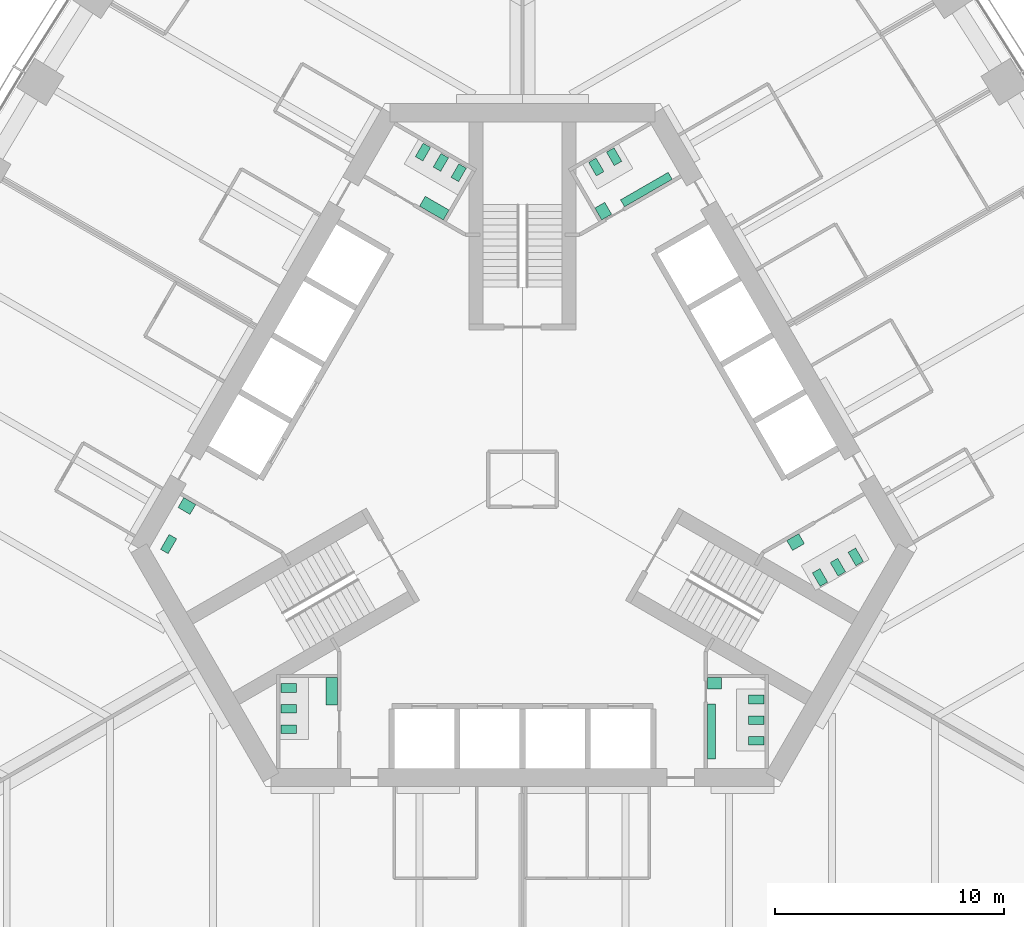
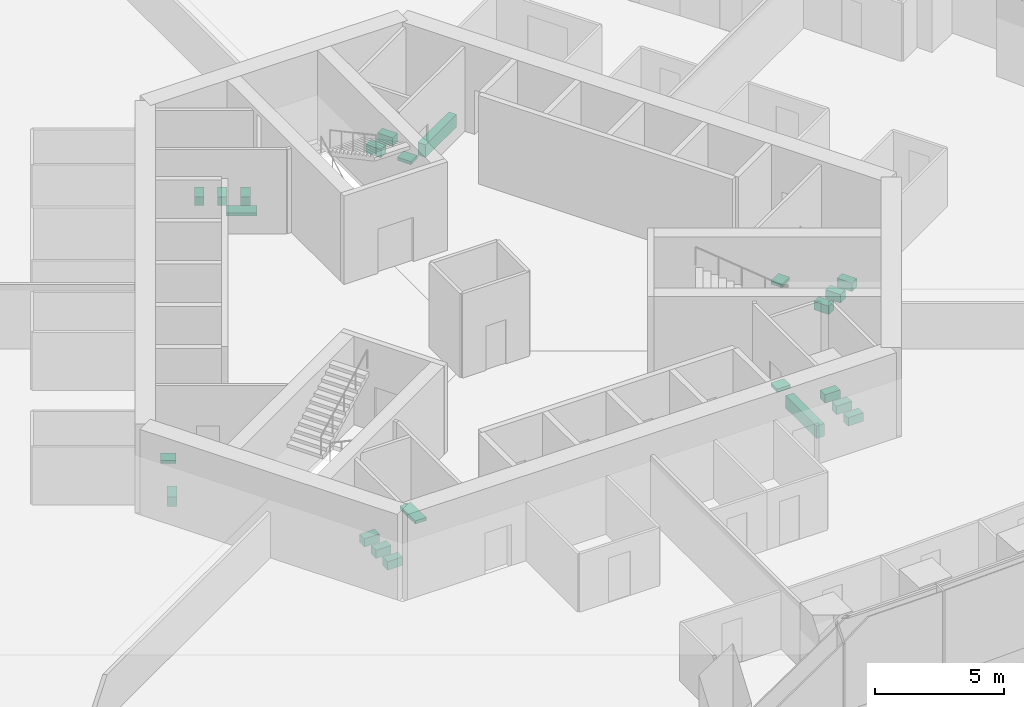
# One storey, part 17 of 18: 23 sanitary terminals.
"""IFC4 building model written with IfcOpenShell, lengths in metres."""

from ifc_helpers import new_model, si_unit, direction, frame, origin, place, context, subcontext, project, spatial, polyline, outline, extrude, material, type_object, element, save


model = new_model("IFC4")

# Units and contexts
model_context = context("Model", 3, precision=1e-05, world=origin(), true_north=direction((0.0, 1.0)))
body_context = subcontext(model_context, "Body", "Model", "MODEL_VIEW")
ifc_project = project(units=[si_unit("LENGTHUNIT", "METRE"), si_unit("AREAUNIT", "SQUARE_METRE"), si_unit("VOLUMEUNIT", "CUBIC_METRE"), si_unit("PLANEANGLEUNIT", "RADIAN"), si_unit("MASSUNIT", "GRAM", prefix="KILO")], contexts=[model_context])

# Site, building, storey
site_placement = place(None, origin())
site = spatial("IfcSite", under=ifc_project, at=site_placement, CompositionType="ELEMENT")
building_placement = place(site_placement, origin())
building = spatial("IfcBuilding", under=site, at=building_placement, Name="Trefoil Bronze Tower", CompositionType="ELEMENT")
storey_placement = place(building_placement, frame((0.0, 0.0, 37.5)))
storey = spatial("IfcBuildingStorey", under=building, at=storey_placement, Name="L08", CompositionType="ELEMENT", Elevation=37.5)

# Sanitary terminals
ifc_material_1 = material(Name="Vitreous china", Category="ceramic")
sanitary_terminal_type_1 = type_object("IfcSanitaryTerminalType", Name="Accessible WC pan", PredefinedType="TOILETPAN", material=ifc_material_1)
sanitary_terminal_1_placement = place(storey_placement, origin())
element("IfcSanitaryTerminal", 1, at=sanitary_terminal_1_placement, inside=storey, type_object=sanitary_terminal_type_1, Name="WC pan 1 Accessible WC L08", PredefinedType="TOILETPAN", context=body_context, shape_type="SweptSolid", body=[
    extrude(outline(polyline([(-15.085693359375, -2.589111328125), (-15.460693359375, -3.238525390625), (-15.789794921875, -3.048583984375), (-15.414794921875, -2.399169921875), (-15.085693359375, -2.589111328125)])), origin(), (0.0, 0.0, 1.0), 0.449951171875),
])
ifc_material_2 = material(Name="Vitreous china", Category="ceramic")
sanitary_terminal_type_2 = type_object("IfcSanitaryTerminalType", Name="Accessible basin", PredefinedType="WASHHANDBASIN", material=ifc_material_2)
sanitary_terminal_2_placement = place(storey_placement, frame((0.0, 0.0, 0.64990234375)))
element("IfcSanitaryTerminal", 2, at=sanitary_terminal_2_placement, inside=storey, type_object=sanitary_terminal_type_2, Name="Wash basin Accessible WC L08", PredefinedType="WASHHANDBASIN", context=body_context, shape_type="SweptSolid", body=[
    extrude(outline(polyline([(-14.256591796875, -1.09326171875), (-14.506591796875, -1.526123046875), (-15.026123046875, -1.22607421875), (-14.776123046875, -0.793212890625), (-14.256591796875, -1.09326171875)])), origin(), (0.0, 0.0, 1.0), 0.150146484375),
])
ifc_material_3 = material(Name="Vitreous china", Category="ceramic")
sanitary_terminal_type_3 = type_object("IfcSanitaryTerminalType", Name="Urinal range 4 urinals", PredefinedType="URINAL", material=ifc_material_3)
sanitary_terminal_3_placement = place(storey_placement, frame((0.0, 0.0, 0.39990234375)))
element("IfcSanitaryTerminal", 3, at=sanitary_terminal_3_placement, inside=storey, type_object=sanitary_terminal_type_3, Name="Urinal range WC (men) L08", PredefinedType="URINAL", context=body_context, shape_type="SweptSolid", body=[
    extrude(outline(polyline([(8.074951171875, -9.800048828125), (8.425048828125, -9.800048828125), (8.425048828125, -12.199951171875), (8.074951171875, -12.199951171875), (8.074951171875, -9.800048828125)])), origin(), (0.0, 0.0, 1.0), 0.60009765625),
])
sanitary_terminal_4_placement = place(storey_placement, frame((0.0, 0.0, 0.39990234375)))
element("IfcSanitaryTerminal", 4, at=sanitary_terminal_4_placement, inside=storey, type_object=sanitary_terminal_type_3, Name="Urinal range WC (men) L08", PredefinedType="URINAL", context=body_context, shape_type="SweptSolid", body=[
    extrude(outline(polyline([(4.449462890625, 11.89306640625), (4.274658203125, 12.1962890625), (6.35302734375, 13.396240234375), (6.528076171875, 13.09326171875), (4.449462890625, 11.89306640625)])), origin(), (0.0, 0.0, 1.0), 0.60009765625),
])
ifc_material_4 = material(Name="Solid surface vanity", Category="plastic")
sanitary_terminal_type_4 = type_object("IfcSanitaryTerminalType", Name="Vanity unit 1 basins", PredefinedType="WASHHANDBASIN", material=ifc_material_4)
sanitary_terminal_5_placement = place(storey_placement, frame((0.0, 0.0, 0.75)))
element("IfcSanitaryTerminal", 5, at=sanitary_terminal_5_placement, inside=storey, type_object=sanitary_terminal_type_4, Name="Vanity unit WC (men) L08", PredefinedType="WASHHANDBASIN", context=body_context, shape_type="SweptSolid", body=[
    extrude(outline(polyline([(8.074951171875, -8.64990234375), (8.675048828125, -8.64990234375), (8.675048828125, -9.14990234375), (8.074951171875, -9.14990234375), (8.074951171875, -8.64990234375)])), origin(), (0.0, 0.0, 1.0), 0.14990234375),
])
sanitary_terminal_6_placement = place(storey_placement, frame((0.0, 0.0, 0.75)))
element("IfcSanitaryTerminal", 6, at=sanitary_terminal_6_placement, inside=storey, type_object=sanitary_terminal_type_4, Name="Vanity unit WC (women) L08", PredefinedType="WASHHANDBASIN", context=body_context, shape_type="SweptSolid", body=[
    extrude(outline(polyline([(11.528564453125, -2.668212890625), (11.778564453125, -3.10107421875), (12.29833984375, -2.80126953125), (12.04833984375, -2.3681640625), (11.528564453125, -2.668212890625)])), origin(), (0.0, 0.0, 1.0), 0.14990234375),
])
sanitary_terminal_7_placement = place(storey_placement, frame((0.0, 0.0, 0.75)))
element("IfcSanitaryTerminal", 7, at=sanitary_terminal_7_placement, inside=storey, type_object=sanitary_terminal_type_4, Name="Vanity unit WC (men) L08", PredefinedType="WASHHANDBASIN", context=body_context, shape_type="SweptSolid", body=[
    extrude(outline(polyline([(3.45361328125, 11.318115234375), (3.153564453125, 11.837890625), (3.586669921875, 12.087890625), (3.88671875, 11.568115234375), (3.45361328125, 11.318115234375)])), origin(), (0.0, 0.0, 1.0), 0.14990234375),
])
ifc_material_5 = material(Name="Solid surface vanity", Category="plastic")
sanitary_terminal_type_5 = type_object("IfcSanitaryTerminalType", Name="Vanity unit 2 basins", PredefinedType="WASHHANDBASIN", material=ifc_material_5)
sanitary_terminal_8_placement = place(storey_placement, frame((0.0, 0.0, 0.75)))
element("IfcSanitaryTerminal", 8, at=sanitary_terminal_8_placement, inside=storey, type_object=sanitary_terminal_type_5, Name="Vanity unit WC (women) L08", PredefinedType="WASHHANDBASIN", context=body_context, shape_type="SweptSolid", body=[
    extrude(outline(polyline([(-3.45361328125, 11.318115234375), (-3.20361328125, 11.751220703125), (-4.242919921875, 12.35107421875), (-4.492919921875, 11.918212890625), (-3.45361328125, 11.318115234375)])), origin(), (0.0, 0.0, 1.0), 0.14990234375),
])
sanitary_terminal_9_placement = place(storey_placement, frame((0.0, 0.0, 0.75)))
element("IfcSanitaryTerminal", 9, at=sanitary_terminal_9_placement, inside=storey, type_object=sanitary_terminal_type_5, Name="Vanity unit WC (women) L08", PredefinedType="WASHHANDBASIN", context=body_context, shape_type="SweptSolid", body=[
    extrude(outline(polyline([(-8.074951171875, -8.64990234375), (-8.574951171875, -8.64990234375), (-8.574951171875, -9.85009765625), (-8.074951171875, -9.85009765625), (-8.074951171875, -8.64990234375)])), origin(), (0.0, 0.0, 1.0), 0.14990234375),
])
ifc_material_6 = material(Name="Vitreous china", Category="ceramic")
sanitary_terminal_type_6 = type_object("IfcSanitaryTerminalType", Name="WC pan", PredefinedType="TOILETPAN", material=ifc_material_6)
sanitary_terminal_10_placement = place(storey_placement, origin())
element("IfcSanitaryTerminal", 10, at=sanitary_terminal_10_placement, inside=storey, type_object=sanitary_terminal_type_6, Name="WC pan 1 WC (men) L08", PredefinedType="TOILETPAN", context=body_context, shape_type="SweptSolid", body=[
    extrude(outline(polyline([(9.85498046875, -9.409912109375), (10.534912109375, -9.409912109375), (10.534912109375, -9.7900390625), (9.85498046875, -9.7900390625), (9.85498046875, -9.409912109375)])), origin(), (0.0, 0.0, 1.0), 0.39990234375),
])
sanitary_terminal_11_placement = place(storey_placement, origin())
element("IfcSanitaryTerminal", 11, at=sanitary_terminal_11_placement, inside=storey, type_object=sanitary_terminal_type_6, Name="WC pan 2 WC (men) L08", PredefinedType="TOILETPAN", context=body_context, shape_type="SweptSolid", body=[
    extrude(outline(polyline([(9.85498046875, -10.31005859375), (10.534912109375, -10.31005859375), (10.534912109375, -10.68994140625), (9.85498046875, -10.68994140625), (9.85498046875, -10.31005859375)])), origin(), (0.0, 0.0, 1.0), 0.39990234375),
])
sanitary_terminal_12_placement = place(storey_placement, origin())
element("IfcSanitaryTerminal", 12, at=sanitary_terminal_12_placement, inside=storey, type_object=sanitary_terminal_type_6, Name="WC pan 3 WC (men) L08", PredefinedType="TOILETPAN", context=body_context, shape_type="SweptSolid", body=[
    extrude(outline(polyline([(9.85498046875, -11.2099609375), (10.534912109375, -11.2099609375), (10.534912109375, -11.590087890625), (9.85498046875, -11.590087890625), (9.85498046875, -11.2099609375)])), origin(), (0.0, 0.0, 1.0), 0.39990234375),
])
sanitary_terminal_13_placement = place(storey_placement, origin())
element("IfcSanitaryTerminal", 13, at=sanitary_terminal_13_placement, inside=storey, type_object=sanitary_terminal_type_6, Name="WC pan 1 WC (women) L08", PredefinedType="TOILETPAN", context=body_context, shape_type="SweptSolid", body=[
    extrude(outline(polyline([(12.643798828125, -4.07958984375), (12.98388671875, -4.66845703125), (13.31298828125, -4.478515625), (12.972900390625, -3.8896484375), (12.643798828125, -4.07958984375)])), origin(), (0.0, 0.0, 1.0), 0.39990234375),
])
sanitary_terminal_14_placement = place(storey_placement, origin())
element("IfcSanitaryTerminal", 14, at=sanitary_terminal_14_placement, inside=storey, type_object=sanitary_terminal_type_6, Name="WC pan 2 WC (women) L08", PredefinedType="TOILETPAN", context=body_context, shape_type="SweptSolid", body=[
    extrude(outline(polyline([(13.423095703125, -3.629638671875), (13.76318359375, -4.218505859375), (14.09228515625, -4.028564453125), (13.752197265625, -3.439697265625), (13.423095703125, -3.629638671875)])), origin(), (0.0, 0.0, 1.0), 0.39990234375),
])
sanitary_terminal_15_placement = place(storey_placement, origin())
element("IfcSanitaryTerminal", 15, at=sanitary_terminal_15_placement, inside=storey, type_object=sanitary_terminal_type_6, Name="WC pan 3 WC (women) L08", PredefinedType="TOILETPAN", context=body_context, shape_type="SweptSolid", body=[
    extrude(outline(polyline([(14.20263671875, -3.1796875), (14.542724609375, -3.7685546875), (14.871826171875, -3.57861328125), (14.53173828125, -2.98974609375), (14.20263671875, -3.1796875)])), origin(), (0.0, 0.0, 1.0), 0.39990234375),
])
sanitary_terminal_16_placement = place(storey_placement, origin())
element("IfcSanitaryTerminal", 16, at=sanitary_terminal_16_placement, inside=storey, type_object=sanitary_terminal_type_6, Name="WC pan 1 WC (men) L08", PredefinedType="TOILETPAN", context=body_context, shape_type="SweptSolid", body=[
    extrude(outline(polyline([(3.2216796875, 13.23974609375), (2.8818359375, 13.82861328125), (3.2109375, 14.0185546875), (3.55078125, 13.4296875), (3.2216796875, 13.23974609375)])), origin(), (0.0, 0.0, 1.0), 0.39990234375),
])
sanitary_terminal_17_placement = place(storey_placement, origin())
element("IfcSanitaryTerminal", 17, at=sanitary_terminal_17_placement, inside=storey, type_object=sanitary_terminal_type_6, Name="WC pan 2 WC (men) L08", PredefinedType="TOILETPAN", context=body_context, shape_type="SweptSolid", body=[
    extrude(outline(polyline([(4.001220703125, 13.689697265625), (3.6611328125, 14.278564453125), (3.990234375, 14.468505859375), (4.330322265625, 13.879638671875), (4.001220703125, 13.689697265625)])), origin(), (0.0, 0.0, 1.0), 0.39990234375),
])
sanitary_terminal_18_placement = place(storey_placement, origin())
element("IfcSanitaryTerminal", 18, at=sanitary_terminal_18_placement, inside=storey, type_object=sanitary_terminal_type_6, Name="WC pan 1 WC (women) L08", PredefinedType="TOILETPAN", context=body_context, shape_type="SweptSolid", body=[
    extrude(outline(polyline([(-2.788818359375, 12.98974609375), (-2.44873046875, 13.57861328125), (-2.77783203125, 13.7685546875), (-3.117919921875, 13.1796875), (-2.788818359375, 12.98974609375)])), origin(), (0.0, 0.0, 1.0), 0.39990234375),
])
sanitary_terminal_19_placement = place(storey_placement, origin())
element("IfcSanitaryTerminal", 19, at=sanitary_terminal_19_placement, inside=storey, type_object=sanitary_terminal_type_6, Name="WC pan 2 WC (women) L08", PredefinedType="TOILETPAN", context=body_context, shape_type="SweptSolid", body=[
    extrude(outline(polyline([(-3.568115234375, 13.439697265625), (-3.228271484375, 14.028564453125), (-3.557373046875, 14.218505859375), (-3.897216796875, 13.629638671875), (-3.568115234375, 13.439697265625)])), origin(), (0.0, 0.0, 1.0), 0.39990234375),
])
sanitary_terminal_20_placement = place(storey_placement, origin())
element("IfcSanitaryTerminal", 20, at=sanitary_terminal_20_placement, inside=storey, type_object=sanitary_terminal_type_6, Name="WC pan 3 WC (women) L08", PredefinedType="TOILETPAN", context=body_context, shape_type="SweptSolid", body=[
    extrude(outline(polyline([(-4.34765625, 13.8896484375), (-4.007568359375, 14.478515625), (-4.336669921875, 14.66845703125), (-4.6767578125, 14.07958984375), (-4.34765625, 13.8896484375)])), origin(), (0.0, 0.0, 1.0), 0.39990234375),
])
sanitary_terminal_21_placement = place(storey_placement, origin())
element("IfcSanitaryTerminal", 21, at=sanitary_terminal_21_placement, inside=storey, type_object=sanitary_terminal_type_6, Name="WC pan 1 WC (women) L08", PredefinedType="TOILETPAN", context=body_context, shape_type="SweptSolid", body=[
    extrude(outline(polyline([(-9.85498046875, -8.909912109375), (-10.534912109375, -8.909912109375), (-10.534912109375, -9.2900390625), (-9.85498046875, -9.2900390625), (-9.85498046875, -8.909912109375)])), origin(), (0.0, 0.0, 1.0), 0.39990234375),
])
sanitary_terminal_22_placement = place(storey_placement, origin())
element("IfcSanitaryTerminal", 22, at=sanitary_terminal_22_placement, inside=storey, type_object=sanitary_terminal_type_6, Name="WC pan 2 WC (women) L08", PredefinedType="TOILETPAN", context=body_context, shape_type="SweptSolid", body=[
    extrude(outline(polyline([(-9.85498046875, -9.81005859375), (-10.534912109375, -9.81005859375), (-10.534912109375, -10.18994140625), (-9.85498046875, -10.18994140625), (-9.85498046875, -9.81005859375)])), origin(), (0.0, 0.0, 1.0), 0.39990234375),
])
sanitary_terminal_23_placement = place(storey_placement, origin())
element("IfcSanitaryTerminal", 23, at=sanitary_terminal_23_placement, inside=storey, type_object=sanitary_terminal_type_6, Name="WC pan 3 WC (women) L08", PredefinedType="TOILETPAN", context=body_context, shape_type="SweptSolid", body=[
    extrude(outline(polyline([(-9.85498046875, -10.7099609375), (-10.534912109375, -10.7099609375), (-10.534912109375, -11.090087890625), (-9.85498046875, -11.090087890625), (-9.85498046875, -10.7099609375)])), origin(), (0.0, 0.0, 1.0), 0.39990234375),
])

save(model, "model.ifc")
